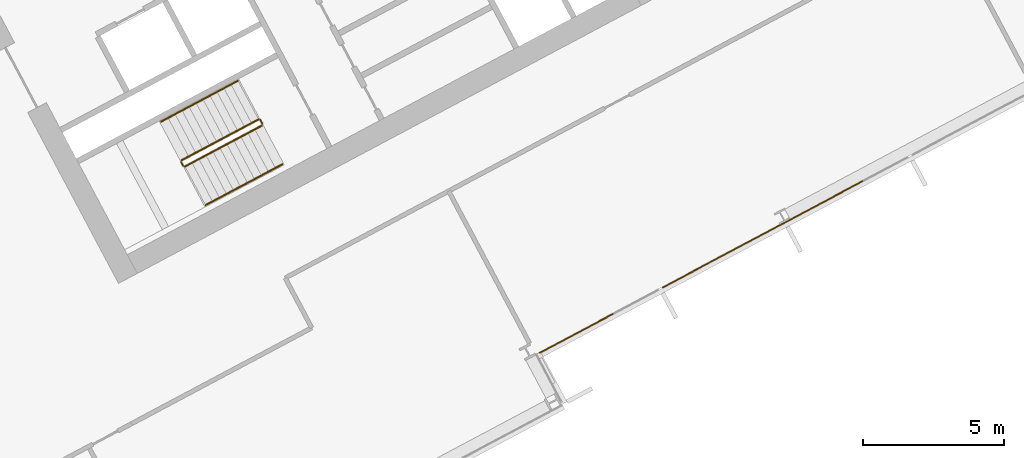
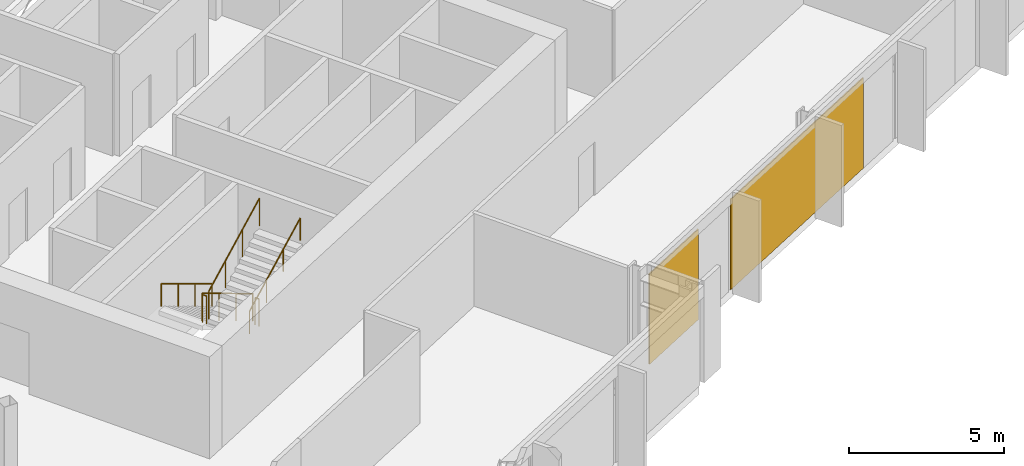
# One storey, part 25 of 28: 6 railings, 2 coverings, 1 element without a shape of its own.
"""IFC4 building model written with IfcOpenShell, lengths in metres."""

from ifc_helpers import new_model, si_unit, direction, frame, origin, origin_2d, place, context, subcontext, project, spatial, polyline, rectangle, outline, extrude, material, layer, layer_set, type_object, element, aggregate, save


model = new_model("IFC4")

# Units and contexts
model_context = context("Model", 3, precision=1e-05, world=origin(), true_north=direction((0.0, 1.0)))
body_context = subcontext(model_context, "Body", "Model", "MODEL_VIEW")
ifc_project = project(units=[si_unit("LENGTHUNIT", "METRE"), si_unit("AREAUNIT", "SQUARE_METRE"), si_unit("VOLUMEUNIT", "CUBIC_METRE"), si_unit("PLANEANGLEUNIT", "RADIAN"), si_unit("MASSUNIT", "GRAM", prefix="KILO")], contexts=[model_context])

# Site, building, storey
site_placement = place(None, origin())
site = spatial("IfcSite", under=ifc_project, at=site_placement, CompositionType="ELEMENT")
building_placement = place(site_placement, origin())
building = spatial("IfcBuilding", under=site, at=building_placement, Name="Cormorant Relay Tower", CompositionType="ELEMENT")
storey_placement = place(building_placement, frame((0.0, 0.0, 162.199951171875)))
storey = spatial("IfcBuildingStorey", under=building, at=storey_placement, Name="L34", CompositionType="ELEMENT", Elevation=162.199951171875)

# Curtain wall, coverings
ifc_material_1 = material(Name="Aluminium 6063-T6 anodised bronze", Category="aluminium")
ifc_layer_1 = layer(ifc_material_1, 0.199951171875)
ifc_layer_set_1 = layer_set([ifc_layer_1], Name="CW1 unitised bronze curtain wall with vertical fins")
curtain_wall_type = type_object("IfcCurtainWallType", Name="CW1 unitised bronze curtain wall with vertical fins", PredefinedType="NOTDEFINED", material=ifc_layer_set_1)
curtain_wall_placement = place(storey_placement, origin())
curtain_wall = element("IfcCurtainWall", 1, at=curtain_wall_placement, inside=storey, type_object=curtain_wall_type, Name="CW1 curtain wall 4", PredefinedType="NOTDEFINED")
ifc_material_2 = material(Name="Pale bronze anodised aluminium insulated panel", Category="aluminium")
ifc_layer_2 = layer(ifc_material_2, 0.0400390625)
ifc_layer_set_2 = layer_set([ifc_layer_2], Name="CW1 pale bronze insulated panel 40")
covering_type = type_object("IfcCoveringType", Name="CW1 pale bronze insulated panel 40", PredefinedType="CLADDING", material=ifc_layer_set_2)
covering_1_placement = place(storey_placement, frame((35.09765625, -2.879638671875, 0.0), z_axis=(0.0, 0.0, 1.0), x_axis=(0.882947592859, 0.469471562786, 0.0)))
covering_1 = element("IfcCovering", 2, at=covering_1_placement, type_object=covering_type, Name="CW1 panel S00", PredefinedType="CLADDING", context=body_context, shape_type="SweptSolid", body=[
    extrude(rectangle(XDim=2.97509765625, YDim=0.0400390625, at=origin_2d()), origin(), (0.0, 0.0, 1.0), 3.550048828125),
])
covering_2_placement = place(storey_placement, frame((41.686767578125, 0.623779296875, 0.0), z_axis=(0.0, 0.0, 1.0), x_axis=(0.882947592859, 0.469471562786, 0.0)))
covering_2 = element("IfcCovering", 3, at=covering_2_placement, type_object=covering_type, Name="CW1 panel S02", PredefinedType="CLADDING", context=body_context, shape_type="SweptSolid", body=[
    extrude(rectangle(XDim=8.050048828125, YDim=0.0400390625, at=origin_2d()), origin(), (0.0, 0.0, 1.0), 3.550048828125),
])
aggregate(curtain_wall, [covering_1, covering_2])

# Railings
ifc_material_3 = material(Name="Steel ASTM A572 Grade 50 (Fy 345 MPa)", Category="steel")
railing_type_1 = type_object("IfcRailingType", Name="Stair guard 1100", PredefinedType="GUARDRAIL", material=ifc_material_3)
railing_1_placement = place(storey_placement, frame((23.83837890625, 4.6904296875, 0.166748046875)))
element("IfcRailing", 4, at=railing_1_placement, inside=storey, type_object=railing_type_1, Name="L34 B1 stair guard 1", PredefinedType="GUARDRAIL", context=body_context, shape_type="SweptSolid", body=[
    extrude(outline(polyline([(0.022216796875, 0.00927734375), (0.00927734375, 0.022216796875), (-0.00927734375, 0.022216796875), (-0.022216796875, 0.00927734375), (-0.022216796875, -0.00927734375), (-0.00927734375, -0.022216796875), (0.00927734375, -0.022216796875), (0.022216796875, -0.00927734375), (0.022216796875, 0.00927734375)])), frame((0.0, 0.0, 1.076171875), z_axis=(-0.758713656843, -0.403434867536, 0.511462505542), x_axis=(0.469489399267, -0.882938108802, 0.0)), (0.0, 0.0, 1.0), 3.584228515625),
    extrude(outline(polyline([(0.019287109375, 0.008056640625), (0.008056640625, 0.019287109375), (-0.008056640625, 0.019287109375), (-0.019287109375, 0.008056640625), (-0.019287109375, -0.008056640625), (-0.008056640625, -0.019287109375), (0.008056640625, -0.019287109375), (0.019287109375, -0.008056640625), (0.019287109375, 0.008056640625)])), origin(), (0.0, 0.0, 1.0), 1.052001953125),
    extrude(outline(polyline([(0.019287109375, 0.008056640625), (0.008056640625, 0.019287109375), (-0.008056640625, 0.019287109375), (-0.019287109375, 0.008056640625), (-0.019287109375, -0.008056640625), (-0.008056640625, -0.019287109375), (0.008056640625, -0.019287109375), (0.019287109375, -0.008056640625), (0.019287109375, 0.008056640625)])), frame((-0.906494140625, -0.48193359375, 0.611083984375)), (0.0, 0.0, 1.0), 1.052001953125),
    extrude(outline(polyline([(0.019287109375, 0.008056640625), (0.008056640625, 0.019287109375), (-0.008056640625, 0.019287109375), (-0.019287109375, 0.008056640625), (-0.019287109375, -0.008056640625), (-0.008056640625, -0.019287109375), (0.008056640625, -0.019287109375), (0.019287109375, -0.008056640625), (0.019287109375, 0.008056640625)])), frame((-1.81298828125, -0.964111328125, 1.22216796875)), (0.0, 0.0, 1.0), 1.052001953125),
    extrude(outline(polyline([(0.019287109375, 0.008056640625), (0.008056640625, 0.019287109375), (-0.008056640625, 0.019287109375), (-0.019287109375, 0.008056640625), (-0.019287109375, -0.008056640625), (-0.008056640625, -0.019287109375), (0.008056640625, -0.019287109375), (0.019287109375, -0.008056640625), (0.019287109375, 0.008056640625)])), frame((-2.719482421875, -1.446044921875, 1.833251953125)), (0.0, 0.0, 1.0), 1.052001953125),
])
railing_2_placement = place(storey_placement, frame((21.09814453125, 3.1767578125, 2.0)))
element("IfcRailing", 5, at=railing_2_placement, inside=storey, type_object=railing_type_1, Name="L34 B1 stair guard 2", PredefinedType="GUARDRAIL", context=body_context, shape_type="SweptSolid", body=[
    extrude(outline(polyline([(0.022216796875, 0.00927734375), (0.00927734375, 0.022216796875), (-0.00927734375, 0.022216796875), (-0.022216796875, 0.00927734375), (-0.022216796875, -0.00927734375), (-0.00927734375, -0.022216796875), (0.00927734375, -0.022216796875), (0.022216796875, -0.00927734375), (0.022216796875, 0.00927734375)])), frame((0.0, 0.0, 1.076171875), z_axis=(0.469234640946, -0.883073525669, 0.0), x_axis=(0.883073525669, 0.469234640946, 0.0)), (0.0, 0.0, 1.0), 0.14990234375),
    extrude(outline(polyline([(0.019287109375, 0.008056640625), (0.008056640625, 0.019287109375), (-0.008056640625, 0.019287109375), (-0.019287109375, 0.008056640625), (-0.019287109375, -0.008056640625), (-0.008056640625, -0.019287109375), (0.008056640625, -0.019287109375), (0.019287109375, -0.008056640625), (0.019287109375, 0.008056640625)])), origin(), (0.0, 0.0, 1.0), 1.052001953125),
    extrude(outline(polyline([(0.019287109375, 0.008056640625), (0.008056640625, 0.019287109375), (-0.008056640625, 0.019287109375), (-0.019287109375, 0.008056640625), (-0.019287109375, -0.008056640625), (-0.008056640625, -0.019287109375), (0.008056640625, -0.019287109375), (0.019287109375, -0.008056640625), (0.019287109375, 0.008056640625)])), frame((0.0703125, -0.13232421875, 0.0)), (0.0, 0.0, 1.0), 1.052001953125),
])
railing_3_placement = place(storey_placement, frame((21.236083984375, 3.023681640625, 2.166748046875)))
element("IfcRailing", 6, at=railing_3_placement, inside=storey, type_object=railing_type_1, Name="L34 B1 stair guard 3", PredefinedType="GUARDRAIL", context=body_context, shape_type="SweptSolid", body=[
    extrude(outline(polyline([(0.022216796875, 0.00927734375), (0.00927734375, 0.022216796875), (-0.00927734375, 0.022216796875), (-0.022216796875, 0.00927734375), (-0.022216796875, -0.00927734375), (-0.00927734375, -0.022216796875), (0.00927734375, -0.022216796875), (0.022216796875, -0.00927734375), (0.022216796875, 0.00927734375)])), frame((0.0, 0.0, 1.076171875), z_axis=(0.758713656843, 0.403434867536, 0.511462505542), x_axis=(-0.469489399267, 0.882938108802, 0.0)), (0.0, 0.0, 1.0), 3.584228515625),
    extrude(outline(polyline([(0.019287109375, 0.008056640625), (0.008056640625, 0.019287109375), (-0.008056640625, 0.019287109375), (-0.019287109375, 0.008056640625), (-0.019287109375, -0.008056640625), (-0.008056640625, -0.019287109375), (0.008056640625, -0.019287109375), (0.019287109375, -0.008056640625), (0.019287109375, 0.008056640625)])), origin(), (0.0, 0.0, 1.0), 1.052001953125),
    extrude(outline(polyline([(0.019287109375, 0.008056640625), (0.008056640625, 0.019287109375), (-0.008056640625, 0.019287109375), (-0.019287109375, 0.008056640625), (-0.019287109375, -0.008056640625), (-0.008056640625, -0.019287109375), (0.008056640625, -0.019287109375), (0.019287109375, -0.008056640625), (0.019287109375, 0.008056640625)])), frame((0.906494140625, 0.48193359375, 0.611083984375)), (0.0, 0.0, 1.0), 1.052001953125),
    extrude(outline(polyline([(0.019287109375, 0.008056640625), (0.008056640625, 0.019287109375), (-0.008056640625, 0.019287109375), (-0.019287109375, 0.008056640625), (-0.019287109375, -0.008056640625), (-0.008056640625, -0.019287109375), (0.008056640625, -0.019287109375), (0.019287109375, -0.008056640625), (0.019287109375, 0.008056640625)])), frame((1.81298828125, 0.964111328125, 1.22216796875)), (0.0, 0.0, 1.0), 1.052001953125),
    extrude(outline(polyline([(0.019287109375, 0.008056640625), (0.008056640625, 0.019287109375), (-0.008056640625, 0.019287109375), (-0.019287109375, 0.008056640625), (-0.019287109375, -0.008056640625), (-0.008056640625, -0.019287109375), (0.008056640625, -0.019287109375), (0.019287109375, -0.008056640625), (0.019287109375, 0.008056640625)])), frame((2.719482421875, 1.446044921875, 1.833251953125)), (0.0, 0.0, 1.0), 1.052001953125),
])
railing_4_placement = place(storey_placement, frame((23.906005859375, 4.669677734375, 0.0)))
element("IfcRailing", 7, at=railing_4_placement, inside=storey, type_object=railing_type_1, Name="L34 B1 stair guard 4", PredefinedType="GUARDRAIL", context=body_context, shape_type="SweptSolid", body=[
    extrude(outline(polyline([(0.022216796875, 0.00927734375), (0.00927734375, 0.022216796875), (-0.00927734375, 0.022216796875), (-0.022216796875, 0.00927734375), (-0.022216796875, -0.00927734375), (-0.00927734375, -0.022216796875), (0.00927734375, -0.022216796875), (0.022216796875, -0.00927734375), (0.022216796875, 0.00927734375)])), frame((0.0, 0.0, 1.076171875), z_axis=(0.469234640946, -0.883073525669, 0.0), x_axis=(0.883073525669, 0.469234640946, 0.0)), (0.0, 0.0, 1.0), 0.14990234375),
    extrude(outline(polyline([(0.019287109375, 0.008056640625), (0.008056640625, 0.019287109375), (-0.008056640625, 0.019287109375), (-0.019287109375, 0.008056640625), (-0.019287109375, -0.008056640625), (-0.008056640625, -0.019287109375), (0.008056640625, -0.019287109375), (0.019287109375, -0.008056640625), (0.019287109375, 0.008056640625)])), origin(), (0.0, 0.0, 1.0), 1.052001953125),
    extrude(outline(polyline([(0.019287109375, 0.008056640625), (0.008056640625, 0.019287109375), (-0.008056640625, 0.019287109375), (-0.019287109375, 0.008056640625), (-0.019287109375, -0.008056640625), (-0.008056640625, -0.019287109375), (0.008056640625, -0.019287109375), (0.019287109375, -0.008056640625), (0.019287109375, 0.008056640625)])), frame((0.0703125, -0.13232421875, 0.0)), (0.0, 0.0, 1.0), 1.052001953125),
])
ifc_material_4 = material(Name="Steel ASTM A572 Grade 50 (Fy 345 MPa)", Category="steel")
railing_type_2 = type_object("IfcRailingType", Name="Stair handrail 900", PredefinedType="HANDRAIL", material=ifc_material_4)
railing_5_placement = place(storey_placement, frame((23.110595703125, 6.05908203125, 0.166748046875)))
element("IfcRailing", 8, at=railing_5_placement, inside=storey, type_object=railing_type_2, Name="L34 B1 stair handrail 1", PredefinedType="HANDRAIL", context=body_context, shape_type="SweptSolid", body=[
    extrude(outline(polyline([(0.022216796875, 0.00927734375), (0.00927734375, 0.022216796875), (-0.00927734375, 0.022216796875), (-0.022216796875, 0.00927734375), (-0.022216796875, -0.00927734375), (-0.00927734375, -0.022216796875), (0.00927734375, -0.022216796875), (0.022216796875, -0.00927734375), (0.022216796875, 0.00927734375)])), frame((0.0, 0.0, 0.8759765625), z_axis=(-0.758713656843, -0.403434867536, 0.511462505542), x_axis=(0.469489399267, -0.882938108802, 0.0)), (0.0, 0.0, 1.0), 3.584228515625),
    extrude(outline(polyline([(0.019287109375, 0.008056640625), (0.008056640625, 0.019287109375), (-0.008056640625, 0.019287109375), (-0.019287109375, 0.008056640625), (-0.019287109375, -0.008056640625), (-0.008056640625, -0.019287109375), (0.008056640625, -0.019287109375), (0.019287109375, -0.008056640625), (0.019287109375, 0.008056640625)])), origin(), (0.0, 0.0, 1.0), 0.851806640625),
    extrude(outline(polyline([(0.019287109375, 0.008056640625), (0.008056640625, 0.019287109375), (-0.008056640625, 0.019287109375), (-0.019287109375, 0.008056640625), (-0.019287109375, -0.008056640625), (-0.008056640625, -0.019287109375), (0.008056640625, -0.019287109375), (0.019287109375, -0.008056640625), (0.019287109375, 0.008056640625)])), frame((-0.906494140625, -0.48193359375, 0.611083984375)), (0.0, 0.0, 1.0), 0.851806640625),
    extrude(outline(polyline([(0.019287109375, 0.008056640625), (0.008056640625, 0.019287109375), (-0.008056640625, 0.019287109375), (-0.019287109375, 0.008056640625), (-0.019287109375, -0.008056640625), (-0.008056640625, -0.019287109375), (0.008056640625, -0.019287109375), (0.019287109375, -0.008056640625), (0.019287109375, 0.008056640625)])), frame((-1.81298828125, -0.964111328125, 1.22216796875)), (0.0, 0.0, 1.0), 0.851806640625),
    extrude(outline(polyline([(0.019287109375, 0.008056640625), (0.008056640625, 0.019287109375), (-0.008056640625, 0.019287109375), (-0.019287109375, 0.008056640625), (-0.019287109375, -0.008056640625), (-0.008056640625, -0.019287109375), (0.008056640625, -0.019287109375), (0.019287109375, -0.008056640625), (0.019287109375, 0.008056640625)])), frame((-2.719482421875, -1.446044921875, 1.833251953125)), (0.0, 0.0, 1.0), 0.851806640625),
])
railing_6_placement = place(storey_placement, frame((21.9638671875, 1.6552734375, 2.166748046875)))
element("IfcRailing", 9, at=railing_6_placement, inside=storey, type_object=railing_type_2, Name="L34 B1 stair handrail 2", PredefinedType="HANDRAIL", context=body_context, shape_type="SweptSolid", body=[
    extrude(outline(polyline([(0.022216796875, 0.00927734375), (0.00927734375, 0.022216796875), (-0.00927734375, 0.022216796875), (-0.022216796875, 0.00927734375), (-0.022216796875, -0.00927734375), (-0.00927734375, -0.022216796875), (0.00927734375, -0.022216796875), (0.022216796875, -0.00927734375), (0.022216796875, 0.00927734375)])), frame((0.0, 0.0, 0.8759765625), z_axis=(0.758734504837, 0.403377838015, 0.511476559549), x_axis=(-0.469427602063, 0.882970965786, 0.0)), (0.0, 0.0, 1.0), 3.584228515625),
    extrude(outline(polyline([(0.019287109375, 0.008056640625), (0.008056640625, 0.019287109375), (-0.008056640625, 0.019287109375), (-0.019287109375, 0.008056640625), (-0.019287109375, -0.008056640625), (-0.008056640625, -0.019287109375), (0.008056640625, -0.019287109375), (0.019287109375, -0.008056640625), (0.019287109375, 0.008056640625)])), origin(), (0.0, 0.0, 1.0), 0.851806640625),
    extrude(outline(polyline([(0.019287109375, 0.008056640625), (0.008056640625, 0.019287109375), (-0.008056640625, 0.019287109375), (-0.019287109375, 0.008056640625), (-0.019287109375, -0.008056640625), (-0.008056640625, -0.019287109375), (0.008056640625, -0.019287109375), (0.019287109375, -0.008056640625), (0.019287109375, 0.008056640625)])), frame((0.906494140625, 0.48193359375, 0.611083984375)), (0.0, 0.0, 1.0), 0.851806640625),
    extrude(outline(polyline([(0.019287109375, 0.008056640625), (0.008056640625, 0.019287109375), (-0.008056640625, 0.019287109375), (-0.019287109375, 0.008056640625), (-0.019287109375, -0.008056640625), (-0.008056640625, -0.019287109375), (0.008056640625, -0.019287109375), (0.019287109375, -0.008056640625), (0.019287109375, 0.008056640625)])), frame((1.81298828125, 0.9638671875, 1.22216796875)), (0.0, 0.0, 1.0), 0.851806640625),
    extrude(outline(polyline([(0.019287109375, 0.008056640625), (0.008056640625, 0.019287109375), (-0.008056640625, 0.019287109375), (-0.019287109375, 0.008056640625), (-0.019287109375, -0.008056640625), (-0.008056640625, -0.019287109375), (0.008056640625, -0.019287109375), (0.019287109375, -0.008056640625), (0.019287109375, 0.008056640625)])), frame((2.719482421875, 1.44580078125, 1.833251953125)), (0.0, 0.0, 1.0), 0.851806640625),
])

save(model, "model.ifc")
